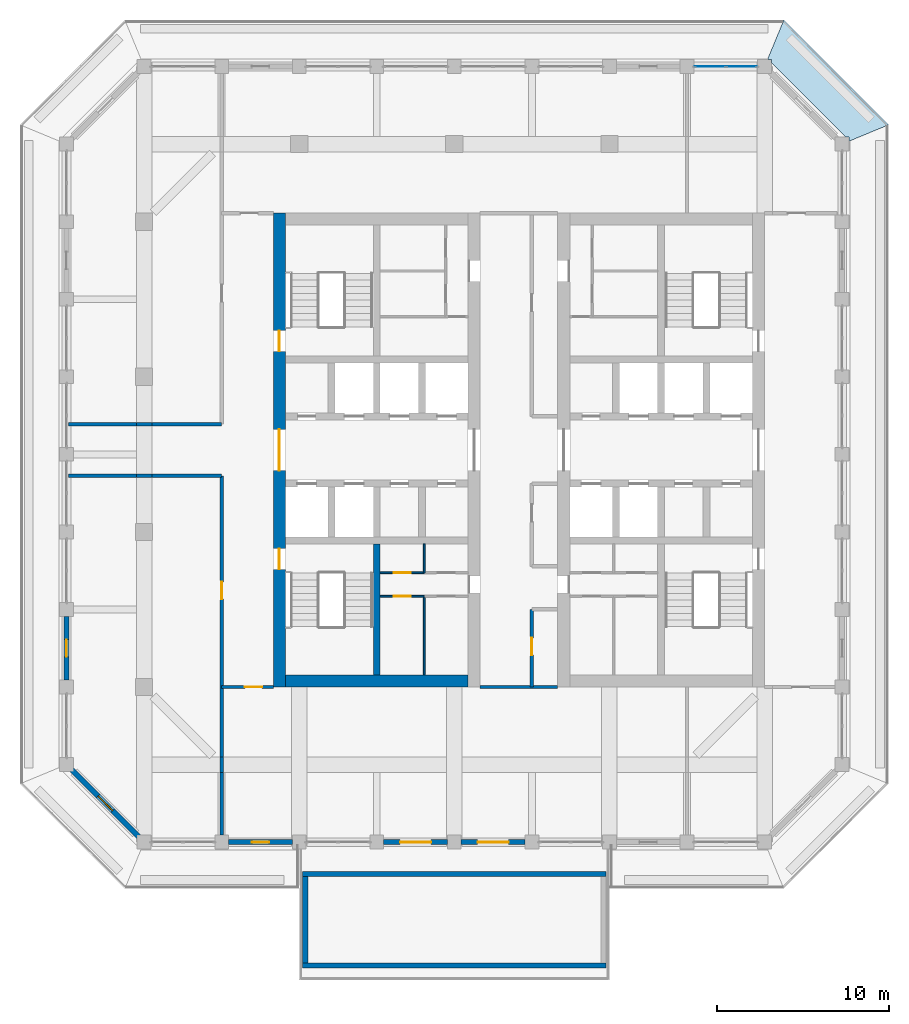
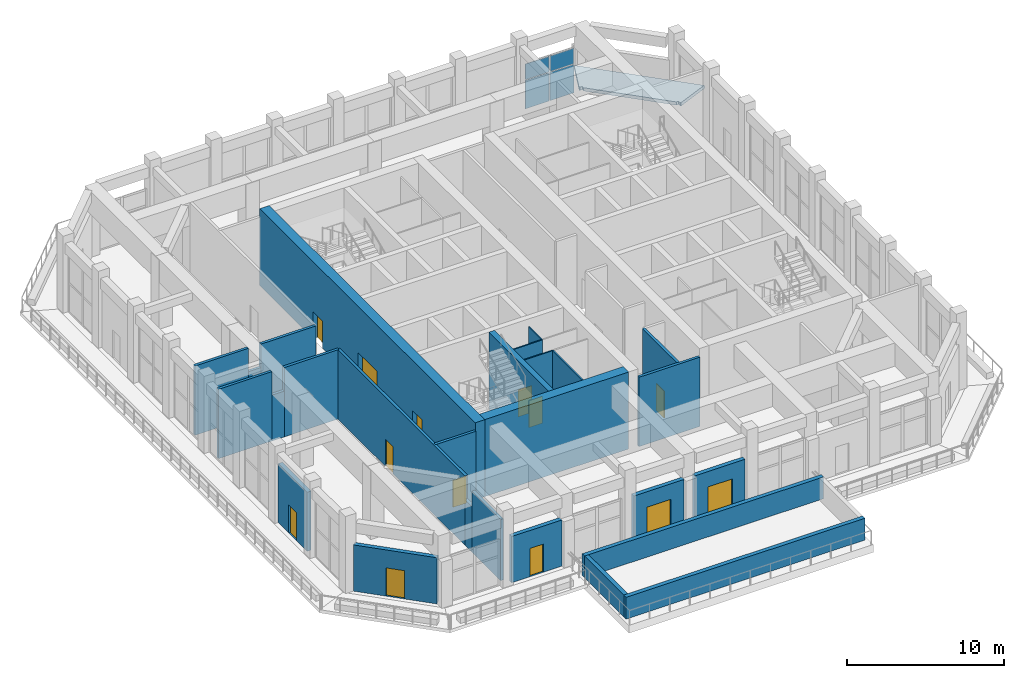
# One storey, part 9 of 20: 27 walls, 13 doors, 4 plates, 1 slab, 13 openings, 1 element without a shape of its own.
"""IFC4 building model written with IfcOpenShell, lengths in metres."""

import ifcopenshell
import ifcopenshell.guid

model = None  # the IFC model being written
_history = None  # IfcOwnerHistory: only IFC2X3 demands one
_inside = {}  # id of a spatial element -> (the spatial element, [elements in it])
_under = {}  # id of a project, library or spatial element -> (it, [spatial elements below it])
_declared = {}  # id of a project -> (the project, [libraries it declares])
_typed = {}  # id of a type object -> (the type object, [elements of that type])
_made_of = {}  # id of a material, layer set ... -> (it, [elements and type objects made of it])


def new_model(schema):
    """Start an empty IFC model of exactly this schema.

    Asked for "IFC4X3", IfcOpenShell would pick the latest addendum, in which some entities
    have other attributes; the version numbers below select the first issue.
    IFC2X3 requires an IfcOwnerHistory on every rooted entity: one is made here for all.
    """
    global model, _history
    if schema == "IFC4X3":
        model = ifcopenshell.file(schema_version=(4, 3, 0, 0))
    else:
        model = ifcopenshell.file(schema=schema)
    _inside.clear()
    _under.clear()
    _declared.clear()
    _typed.clear()
    _made_of.clear()
    _history = None
    if model.schema == "IFC2X3":
        org = make("IfcOrganization", Name="unknown")
        user = make(
            "IfcPersonAndOrganization",
            ThePerson=make("IfcPerson", FamilyName="unknown"),
            TheOrganization=org,
        )
        app = make(
            "IfcApplication",
            ApplicationDeveloper=org,
            Version="unknown",
            ApplicationFullName="unknown",
            ApplicationIdentifier="unknown",
        )
        _history = make(
            "IfcOwnerHistory",
            OwningUser=user,
            OwningApplication=app,
            ChangeAction="ADDED",
            CreationDate=0,
        )
    return model


def make(cls, **values):
    """One entity of the class cls with the attributes given. An attribute that is None is left unset."""
    return model.create_entity(
        cls, **{name: value for name, value in values.items() if value is not None}
    )


def rooted(cls, **values):
    """An entity with a GlobalId (a new one), such as an element, a storey or a relation."""
    return make(cls, GlobalId=ifcopenshell.guid.new(), OwnerHistory=_history, **values)


def si_unit(unit_type, name, prefix=None):
    """IfcSIUnit, for example si_unit("LENGTHUNIT", "METRE", prefix="MILLI")."""
    return make("IfcSIUnit", UnitType=unit_type, Prefix=prefix, Name=name)


def assignment(units):
    """IfcUnitAssignment: the units of a project."""
    return None if units is None else make("IfcUnitAssignment", Units=units)


def point(xyz):
    """IfcCartesianPoint."""
    return None if xyz is None else make("IfcCartesianPoint", Coordinates=xyz)


def direction(xyz):
    """IfcDirection."""
    return None if xyz is None else make("IfcDirection", DirectionRatios=xyz)


def frame(location, z_axis=None, x_axis=None):
    """IfcAxis2Placement3D, a coordinate frame: its origin and axes. An axis left out is left unset."""
    return make(
        "IfcAxis2Placement3D",
        Location=point(location),
        Axis=direction(z_axis),
        RefDirection=direction(x_axis),
    )


def frame_2d(location, x_axis=None):
    """IfcAxis2Placement2D, a coordinate frame in the plane: its origin and x axis."""
    return make(
        "IfcAxis2Placement2D", Location=point(location), RefDirection=direction(x_axis)
    )


def origin():
    """The frame at (0, 0, 0) with its axes left unset."""
    return frame((0.0, 0.0, 0.0))


def origin_2d():
    """The frame at (0, 0) in the plane with its x axis left unset."""
    return frame_2d((0.0, 0.0))


def place(relative_to, where):
    """IfcLocalPlacement: puts the frame where relative to a parent placement (None: the world)."""
    return make(
        "IfcLocalPlacement", PlacementRelTo=relative_to, RelativePlacement=where
    )


def context(
    kind, dimensions, precision=None, world=None, true_north=None, identifier=None
):
    """IfcGeometricRepresentationContext, for example the 3D "Model" context."""
    return make(
        "IfcGeometricRepresentationContext",
        ContextIdentifier=identifier,
        ContextType=kind,
        CoordinateSpaceDimension=dimensions,
        Precision=precision,
        WorldCoordinateSystem=world,
        TrueNorth=true_north,
    )


def subcontext(parent, identifier, kind, view, scale=None):
    """IfcGeometricRepresentationSubContext, for example "Body" below "Model"."""
    return make(
        "IfcGeometricRepresentationSubContext",
        ContextIdentifier=identifier,
        ContextType=kind,
        ParentContext=parent,
        TargetScale=scale,
        TargetView=view,
    )


def project(units=None, contexts=None):
    """IfcProject with its units and contexts."""
    return rooted(
        "IfcProject",
        Name="project",
        RepresentationContexts=contexts,
        UnitsInContext=assignment(units),
    )


def spatial(cls, under=None, at=None, **own):
    """A site, building, storey or space (cls), placed at a placement, below another one or the project."""
    s = rooted(cls, ObjectPlacement=at, **own)
    if under is not None:
        _under.setdefault(under.id(), (under, []))[1].append(s)
    return s


def polyline(points):
    """IfcPolyline through the points."""
    return make("IfcPolyline", Points=[point(p) for p in points])


def profile(cls, at=None, kind="AREA", **sizes):
    """A parametric profile (cls). Its sizes go by their IFC names, for example OverallWidth=200.0."""
    return make(cls, ProfileType=kind, Position=at, **sizes)


def rectangle(**sizes):
    """IfcRectangleProfileDef."""
    return profile("IfcRectangleProfileDef", **sizes)


def outline(outer, holes=None, kind="AREA"):
    """IfcArbitraryClosedProfileDef: a profile drawn as a closed curve; with holes, ...WithVoids."""
    if holes is None:
        return make("IfcArbitraryClosedProfileDef", ProfileType=kind, OuterCurve=outer)
    return make(
        "IfcArbitraryProfileDefWithVoids",
        ProfileType=kind,
        OuterCurve=outer,
        InnerCurves=holes,
    )


def extrude(swept, where, along, depth):
    """IfcExtrudedAreaSolid: the profile swept, set in the frame where, extruded along a direction by depth."""
    return make(
        "IfcExtrudedAreaSolid",
        SweptArea=swept,
        Position=where,
        ExtrudedDirection=direction(along),
        Depth=depth,
    )


def shape(context_of_items, identifier, shape_type, items):
    """IfcShapeRepresentation: the items that make up one representation, for example the "Body"."""
    return make(
        "IfcShapeRepresentation",
        ContextOfItems=context_of_items,
        RepresentationIdentifier=identifier,
        RepresentationType=shape_type,
        Items=items,
    )


def material(Name=None, Category=None):
    """IfcMaterial."""
    return make("IfcMaterial", Name=Name, Category=Category)


def layer(
    of_material, thickness, ventilated=None, Name=None, Category=None, Priority=None
):
    """IfcMaterialLayer: one layer of a wall or slab, of a material (None: an air gap)."""
    return make(
        "IfcMaterialLayer",
        Material=of_material,
        LayerThickness=thickness,
        IsVentilated=ventilated,
        Name=Name,
        Category=Category,
        Priority=Priority,
    )


def layer_set(layers, Name=None):
    """IfcMaterialLayerSet."""
    return make("IfcMaterialLayerSet", MaterialLayers=layers, LayerSetName=Name)


def made_of(thing, what):
    """Note that an element or type object is made of a material, layer set ...; save() writes the relation."""
    if what is not None:
        _made_of.setdefault(what.id(), (what, []))[1].append(thing)
    return thing


def type_object(cls, material=None, **own):
    """A type object (cls), such as IfcWallType, which elements share."""
    return made_of(rooted(cls, **own), material)


def element(
    cls,
    number,
    at=None,
    inside=None,
    cuts=None,
    type_object=None,
    material=None,
    context=None,
    identifier="Body",
    shape_type=None,
    held_by="IfcProductDefinitionShape",
    body=None,
    shapes=None,
    **own,
):
    """One element of the class cls, such as IfcWall. Its Tag is "e" and its number.

    at: its placement. inside: the storey or other place that contains it. cuts: it is an
    opening in that element (IfcRelVoidsElement). A single representation is given by context,
    identifier, shape_type and body (its items); several are given by shapes. held_by: the class
    of the entity that holds the representations. save() writes the other relations.
    """
    e = rooted(cls, Tag="e%d" % number, ObjectPlacement=at, **own)
    if body is not None:
        shapes = [shape(context, identifier, shape_type, body)]
    if shapes is not None:
        e.Representation = make(held_by, Representations=shapes)
    if inside is not None:
        _inside.setdefault(inside.id(), (inside, []))[1].append(e)
    if cuts is not None:
        rooted(
            "IfcRelVoidsElement", RelatingBuildingElement=cuts, RelatedOpeningElement=e
        )
    if type_object is not None:
        _typed.setdefault(type_object.id(), (type_object, []))[1].append(e)
    return made_of(e, material)


def fill(opening, filler):
    """IfcRelFillsElement: the door or window that sits in an opening."""
    return rooted(
        "IfcRelFillsElement",
        RelatingOpeningElement=opening,
        RelatedBuildingElement=filler,
    )


def aggregate(whole, parts):
    """IfcRelAggregates: a whole, such as a stair, and the parts it consists of."""
    return rooted("IfcRelAggregates", RelatingObject=whole, RelatedObjects=parts)


def save(model, path):
    """Write the relations noted so far, then the file.

    IfcRelAggregates (storeys below a building ...), IfcRelContainedInSpatialStructure (elements
    in a storey), IfcRelDefinesByType, IfcRelAssociatesMaterial and IfcRelDeclares: one each for
    every whole, place, type object, material and project.
    """
    for whole, parts in _under.values():
        aggregate(whole, parts)
    for where, things in _inside.values():
        rooted(
            "IfcRelContainedInSpatialStructure",
            RelatedElements=things,
            RelatingStructure=where,
        )
    for kind, things in _typed.values():
        rooted("IfcRelDefinesByType", RelatedObjects=things, RelatingType=kind)
    for what, things in _made_of.values():
        rooted("IfcRelAssociatesMaterial", RelatedObjects=things, RelatingMaterial=what)
    for by, libraries in _declared.values():
        rooted("IfcRelDeclares", RelatingContext=by, RelatedDefinitions=libraries)
    model.write(path)


model = new_model("IFC4")

# Units and contexts
model_context = context("Model", 3, precision=1e-05, world=origin(), true_north=direction((0.0, 1.0)))
body_context = subcontext(model_context, "Body", "Model", "MODEL_VIEW")
ifc_project = project(units=[si_unit("LENGTHUNIT", "METRE"), si_unit("AREAUNIT", "SQUARE_METRE"), si_unit("VOLUMEUNIT", "CUBIC_METRE"), si_unit("PLANEANGLEUNIT", "RADIAN"), si_unit("MASSUNIT", "GRAM", prefix="KILO")], contexts=[model_context])

# Site, building, storey
site_placement = place(None, origin())
site = spatial("IfcSite", under=ifc_project, at=site_placement, CompositionType="ELEMENT")
building_placement = place(site_placement, origin())
building = spatial("IfcBuilding", under=site, at=building_placement, Name="Corbel Stack Research Tower", CompositionType="ELEMENT")
storey_placement = place(building_placement, frame((0.0, 0.0, 295.0)))
storey = spatial("IfcBuildingStorey", under=building, at=storey_placement, Name="L67", CompositionType="ELEMENT", Elevation=295.0)

# Curtain wall, plates
ifc_material_1 = material(Name="Aluminium frame, clear glass", Category="aluminium")
curtain_wall_type = type_object("IfcCurtainWallType", Name="Upper amenity floor curtain wall CW3", PredefinedType="NOTDEFINED", material=ifc_material_1)
curtain_wall_placement = place(storey_placement, origin())
curtain_wall = element("IfcCurtainWall", 1, at=curtain_wall_placement, inside=storey, type_object=curtain_wall_type, Name="Curtain wall CW3 L67 N01", PredefinedType="NOTDEFINED")
ifc_material_2 = material(Name="Low-emissivity glass", Category="glass")
ifc_layer_1 = layer(ifc_material_2, 0.035888671875)
ifc_layer_set_1 = layer_set([ifc_layer_1], Name="Low-emissivity glass")
plate_type = type_object("IfcPlateType", Name="Low-emissivity glazing 36", PredefinedType="CURTAIN_PANEL", material=ifc_layer_set_1)
plate_1_placement = place(storey_placement, frame((16.659912109375, 27.0, 0.06005859375), z_axis=(0.0, 0.0, 1.0), x_axis=(-1.0, 0.0, 0.0)))
plate_1 = element("IfcPlate", 2, at=plate_1_placement, type_object=plate_type, Name="CW3 panel 1.1", PredefinedType="CURTAIN_PANEL", context=body_context, shape_type="SweptSolid", body=[
    extrude(rectangle(XDim=1.760009765625, YDim=0.035888671875, at=origin_2d()), origin(), (0.0, 0.0, 1.0), 2.2099609375),
])
plate_2_placement = place(storey_placement, frame((16.659912109375, 27.0, 2.330078125), z_axis=(0.0, 0.0, 1.0), x_axis=(-1.0, 0.0, 0.0)))
plate_2 = element("IfcPlate", 3, at=plate_2_placement, type_object=plate_type, Name="CW3 panel 1.2", PredefinedType="CURTAIN_PANEL", context=body_context, shape_type="SweptSolid", body=[
    extrude(rectangle(XDim=1.760009765625, YDim=0.035888671875, at=origin_2d()), origin(), (0.0, 0.0, 1.0), 1.2099609375),
])
plate_3_placement = place(storey_placement, frame((14.840087890625, 27.0, 0.06005859375), z_axis=(0.0, 0.0, 1.0), x_axis=(-1.0, 0.0, 0.0)))
plate_3 = element("IfcPlate", 4, at=plate_3_placement, type_object=plate_type, Name="CW3 panel 2.1", PredefinedType="CURTAIN_PANEL", context=body_context, shape_type="SweptSolid", body=[
    extrude(rectangle(XDim=1.760009765625, YDim=0.035888671875, at=origin_2d()), origin(), (0.0, 0.0, 1.0), 2.2099609375),
])
plate_4_placement = place(storey_placement, frame((14.840087890625, 27.0, 2.330078125), z_axis=(0.0, 0.0, 1.0), x_axis=(-1.0, 0.0, 0.0)))
plate_4 = element("IfcPlate", 5, at=plate_4_placement, type_object=plate_type, Name="CW3 panel 2.2", PredefinedType="CURTAIN_PANEL", context=body_context, shape_type="SweptSolid", body=[
    extrude(rectangle(XDim=1.760009765625, YDim=0.035888671875, at=origin_2d()), origin(), (0.0, 0.0, 1.0), 1.2099609375),
])
aggregate(curtain_wall, [plate_1, plate_2, plate_3, plate_4])

# Slab
ifc_material_3 = material(Name="Concrete C45/55", Category="concrete")
ifc_layer_2 = layer(ifc_material_3, 0.25)
ifc_layer_set_2 = layer_set([ifc_layer_2], Name="Concrete C45/55")
slab_type = type_object("IfcSlabType", Name="PT balcony slab 250 C45/55", PredefinedType="FLOOR", material=ifc_layer_set_2)
slab_placement = place(storey_placement, frame((0.0, 0.0, -0.25)))
element("IfcSlab", 6, at=slab_placement, inside=storey, type_object=slab_type, Name="Loggia slab L67 NE", PredefinedType="FLOOR", context=body_context, shape_type="SweptSolid", body=[
    extrude(outline(polyline([(18.186279296875, 27.449951171875), (18.236328125, 27.39990234375), (18.39990234375, 27.39990234375), (18.39990234375, 27.236328125), (22.736328125, 22.89990234375), (22.89990234375, 22.89990234375), (22.89990234375, 22.736328125), (22.949951171875, 22.686279296875), (25.199951171875, 23.618408203125), (19.118408203125, 29.699951171875), (18.186279296875, 27.449951171875)])), origin(), (0.0, 0.0, 1.0), 0.25),
])

# Wall
ifc_material_4 = material(Name="Concrete C60/75", Category="concrete")
ifc_layer_3 = layer(ifc_material_4, 0.39990234375)
ifc_layer_set_3 = layer_set([ifc_layer_3], Name="Concrete C60/75")
wall_type_1 = type_object("IfcWallType", Name="CW-400-60", PredefinedType="SHEAR", material=ifc_layer_set_3)
wall_1_placement = place(storey_placement, frame((-4.5, -8.300048828125, 0.0), z_axis=(0.0, 0.0, 1.0), x_axis=(0.0, 1.0, 0.0)))
element("IfcWall", 7, at=wall_1_placement, inside=storey, type_object=wall_type_1, Name="West core wall, south stair and WC L67", PredefinedType="SHEAR", context=body_context, shape_type="SweptSolid", body=[
    extrude(rectangle(XDim=7.60009765625, YDim=0.39990234375, at=frame_2d((3.800048828125, 0.0))), origin(), (0.0, 0.0, 1.0), 6.0),
])

# Wall, openings, doors
ifc_material_5 = material(Name="Concrete C60/75", Category="concrete")
ifc_layer_4 = layer(ifc_material_5, 0.699951171875)
ifc_layer_set_4 = layer_set([ifc_layer_4], Name="Concrete C60/75")
wall_type_2 = type_object("IfcWallType", Name="CW-700-60", PredefinedType="SHEAR", material=ifc_layer_set_4)
wall_2_placement = place(storey_placement, frame((-10.14990234375, -9.0, 0.0), z_axis=(0.0, 0.0, 1.0), x_axis=(0.0, 1.0, 0.0)))
wall_2 = element("IfcWall", 8, at=wall_2_placement, inside=storey, type_object=wall_type_2, Name="West core wall, west face L67", PredefinedType="SHEAR", context=body_context, shape_type="SweptSolid", body=[
    extrude(rectangle(XDim=27.5, YDim=0.699951171875, at=frame_2d((13.75, 0.0))), origin(), (0.0, 0.0, 1.0), 6.0),
])
opening_1_placement = place(wall_2_placement, frame((12.550048828125, 0.0, 0.0)))
opening_1 = element("IfcOpeningElement", 9, at=opening_1_placement, cuts=wall_2, Name="Opening CD-W-W", PredefinedType="OPENING", context=body_context, shape_type="SweptSolid", body=[
    extrude(rectangle(XDim=2.39990234375, YDim=2.39990234375, at=frame_2d((1.199951171875, 1.199951171875))), frame((0.0, 0.35986328125, 0.0), z_axis=(0.0, -1.0, 0.0), x_axis=(1.0, 0.0, 0.0)), (0.0, 0.0, 1.0), 0.719970703125),
])
opening_2_placement = place(wall_2_placement, frame((6.824951171875, 0.0, 0.0)))
opening_2 = element("IfcOpeningElement", 10, at=opening_2_placement, cuts=wall_2, Name="Opening SD-ST-W1", PredefinedType="OPENING", context=body_context, shape_type="SweptSolid", body=[
    extrude(rectangle(XDim=1.199951171875, YDim=2.10009765625, at=frame_2d((0.60009765625, 1.050048828125))), frame((0.0, 0.35986328125, 0.0), z_axis=(0.0, -1.0, 0.0), x_axis=(1.0, 0.0, 0.0)), (0.0, 0.0, 1.0), 0.719970703125),
])
opening_3_placement = place(wall_2_placement, frame((19.47509765625, 0.0, 0.0)))
opening_3 = element("IfcOpeningElement", 11, at=opening_3_placement, cuts=wall_2, Name="Opening SD-ST-W2", PredefinedType="OPENING", context=body_context, shape_type="SweptSolid", body=[
    extrude(rectangle(XDim=1.199951171875, YDim=2.10009765625, at=frame_2d((0.60009765625, 1.050048828125))), frame((0.0, 0.35986328125, 0.0), z_axis=(0.0, -1.0, 0.0), x_axis=(1.0, 0.0, 0.0)), (0.0, 0.0, 1.0), 0.719970703125),
])
ifc_material_6 = material(Name="Painted steel fire door", Category="steel")
door_type_1 = type_object("IfcDoorType", Name="Lobby door pair 2400 x 2400 FD30S", OperationType="DOUBLE_DOOR_DOUBLE_SWING", PredefinedType="DOOR", material=ifc_material_6)
door_1_placement = place(opening_1_placement, origin())
door_1 = element("IfcDoor", 12, at=door_1_placement, inside=storey, type_object=door_type_1, Name="Lift lobby door W core W", OperationType="DOUBLE_DOOR_DOUBLE_SWING", OverallHeight=2.39990234375, OverallWidth=2.39990234375, PredefinedType="DOOR", context=body_context, shape_type="SweptSolid", body=[
    extrude(rectangle(XDim=2.39990234375, YDim=2.39990234375, at=frame_2d((1.199951171875, 1.199951171875))), frame((0.0, 0.02490234375, 0.0), z_axis=(0.0, -1.0, 0.0), x_axis=(1.0, 0.0, 0.0)), (0.0, 0.0, 1.0), 0.050048828125),
])
fill(opening_1, door_1)
ifc_material_7 = material(Name="Painted steel fire door", Category="steel")
door_type_2 = type_object("IfcDoorType", Name="Stair door 1200 x 2100 FD90 left hand", OperationType="SINGLE_SWING_LEFT", PredefinedType="DOOR", material=ifc_material_7)
door_2_placement = place(opening_2_placement, origin())
door_2 = element("IfcDoor", 13, at=door_2_placement, inside=storey, type_object=door_type_2, Name="Stair door ST-W1", OperationType="SINGLE_SWING_LEFT", OverallHeight=2.10009765625, OverallWidth=1.199951171875, PredefinedType="DOOR", context=body_context, shape_type="SweptSolid", body=[
    extrude(rectangle(XDim=1.199951171875, YDim=2.10009765625, at=frame_2d((0.60009765625, 1.050048828125))), frame((0.0, 0.02490234375, 0.0), z_axis=(0.0, -1.0, 0.0), x_axis=(1.0, 0.0, 0.0)), (0.0, 0.0, 1.0), 0.050048828125),
])
fill(opening_2, door_2)
door_3_placement = place(opening_3_placement, origin())
door_3 = element("IfcDoor", 14, at=door_3_placement, inside=storey, type_object=door_type_2, Name="Stair door ST-W2", OperationType="SINGLE_SWING_LEFT", OverallHeight=2.10009765625, OverallWidth=1.199951171875, PredefinedType="DOOR", context=body_context, shape_type="SweptSolid", body=[
    extrude(rectangle(XDim=1.199951171875, YDim=2.10009765625, at=frame_2d((0.60009765625, 1.050048828125))), frame((0.0, 0.02490234375, 0.0), z_axis=(0.0, -1.0, 0.0), x_axis=(1.0, 0.0, 0.0)), (0.0, 0.0, 1.0), 0.050048828125),
])
fill(opening_3, door_3)

# Wall
wall_3_placement = place(storey_placement, frame((-9.800048828125, -8.64990234375, 0.0), z_axis=(0.0, 0.0, 1.0), x_axis=(1.0, 0.0, 0.0)))
element("IfcWall", 15, at=wall_3_placement, inside=storey, type_object=wall_type_2, Name="West core wall, south end L67", PredefinedType="SHEAR", context=body_context, shape_type="SweptSolid", body=[
    extrude(rectangle(XDim=10.60009765625, YDim=0.699951171875, at=frame_2d((5.300048828125, 0.0))), origin(), (0.0, 0.0, 1.0), 6.0),
])

# Wall, opening, door
ifc_material_8 = material(Name="Gypsum board")
ifc_layer_5 = layer(ifc_material_8, 0.10009765625)
ifc_layer_set_5 = layer_set([ifc_layer_5], Name="Gypsum board")
wall_type_3 = type_object("IfcWallType", Name="Core partition 100", PredefinedType="PARTITIONING", material=ifc_layer_set_5)
wall_4_placement = place(storey_placement, frame((-4.300048828125, -3.739990234375, 0.0), z_axis=(0.0, 0.0, 1.0), x_axis=(1.0, 0.0, 0.0)))
wall_4 = element("IfcWall", 16, at=wall_4_placement, inside=storey, type_object=wall_type_3, Name="Core partition W", PredefinedType="PARTITIONING", context=body_context, shape_type="SweptSolid", body=[
    extrude(rectangle(XDim=2.550048828125, YDim=0.10009765625, at=frame_2d((1.27490234375, 0.0))), origin(), (0.0, 0.0, 1.0), 5.39990234375),
])
opening_4_placement = place(wall_4_placement, frame((0.77490234375, 0.0, 0.0)))
opening_4 = element("IfcOpeningElement", 17, at=opening_4_placement, cuts=wall_4, Name="Opening CR-W54-W3-1000", PredefinedType="OPENING", context=body_context, shape_type="SweptSolid", body=[
    extrude(rectangle(XDim=1.0, YDim=2.10009765625, at=frame_2d((0.5, 1.050048828125))), frame((0.0, 0.06005859375, 0.0), z_axis=(0.0, -1.0, 0.0), x_axis=(1.0, 0.0, 0.0)), (0.0, 0.0, 1.0), 0.1201171875),
])
ifc_material_9 = material(Name="Painted timber door", Category="wood")
door_type_3 = type_object("IfcDoorType", Name="WC door 1000 x 2100 left hand", OperationType="SINGLE_SWING_LEFT", PredefinedType="DOOR", material=ifc_material_9)
door_4_placement = place(opening_4_placement, origin())
door_4 = element("IfcDoor", 18, at=door_4_placement, inside=storey, type_object=door_type_3, Name="Men's WC door W core", OperationType="SINGLE_SWING_LEFT", OverallHeight=2.10009765625, OverallWidth=1.0, PredefinedType="DOOR", context=body_context, shape_type="SweptSolid", body=[
    extrude(rectangle(XDim=1.0, YDim=2.10009765625, at=frame_2d((0.5, 1.050048828125))), frame((0.0, 0.02490234375, 0.0), z_axis=(0.0, -1.0, 0.0), x_axis=(1.0, 0.0, 0.0)), (0.0, 0.0, 1.0), 0.050048828125),
])
fill(opening_4, door_4)

wall_5_placement = place(storey_placement, frame((-4.300048828125, -2.3720703125, 0.0), z_axis=(0.0, 0.0, 1.0), x_axis=(1.0, 0.0, 0.0)))
wall_5 = element("IfcWall", 19, at=wall_5_placement, inside=storey, type_object=wall_type_3, Name="Core partition W", PredefinedType="PARTITIONING", context=body_context, shape_type="SweptSolid", body=[
    extrude(rectangle(XDim=2.550048828125, YDim=0.10009765625, at=frame_2d((1.27490234375, 0.0))), origin(), (0.0, 0.0, 1.0), 5.39990234375),
])
opening_5_placement = place(wall_5_placement, frame((0.77490234375, 0.0, 0.0)))
opening_5 = element("IfcOpeningElement", 20, at=opening_5_placement, cuts=wall_5, Name="Opening CR-W54-W5-1000", PredefinedType="OPENING", context=body_context, shape_type="SweptSolid", body=[
    extrude(rectangle(XDim=1.0, YDim=2.10009765625, at=frame_2d((0.5, 1.050048828125))), frame((0.0, 0.06005859375, 0.0), z_axis=(0.0, -1.0, 0.0), x_axis=(1.0, 0.0, 0.0)), (0.0, 0.0, 1.0), 0.1201171875),
])
door_5_placement = place(opening_5_placement, origin())
door_5 = element("IfcDoor", 21, at=door_5_placement, inside=storey, type_object=door_type_3, Name="Shower and changing room door W core", OperationType="SINGLE_SWING_LEFT", OverallHeight=2.10009765625, OverallWidth=1.0, PredefinedType="DOOR", context=body_context, shape_type="SweptSolid", body=[
    extrude(rectangle(XDim=1.0, YDim=2.10009765625, at=frame_2d((0.5, 1.050048828125))), frame((0.0, 0.02490234375, 0.0), z_axis=(0.0, -1.0, 0.0), x_axis=(1.0, 0.0, 0.0)), (0.0, 0.0, 1.0), 0.050048828125),
])
fill(opening_5, door_5)

# Walls
wall_6_placement = place(storey_placement, frame((-1.75, -8.300048828125, 0.0), z_axis=(0.0, 0.0, 1.0), x_axis=(0.0, 1.0, 0.0)))
element("IfcWall", 22, at=wall_6_placement, inside=storey, type_object=wall_type_3, Name="Core partition W", PredefinedType="PARTITIONING", context=body_context, shape_type="SweptSolid", body=[
    extrude(rectangle(XDim=4.56005859375, YDim=0.10009765625, at=frame_2d((2.280029296875, 0.0))), origin(), (0.0, 0.0, 1.0), 5.39990234375),
])
wall_7_placement = place(storey_placement, frame((-1.75, -2.3720703125, 0.0), z_axis=(0.0, 0.0, 1.0), x_axis=(0.0, 1.0, 0.0)))
element("IfcWall", 23, at=wall_7_placement, inside=storey, type_object=wall_type_3, Name="Core partition W", PredefinedType="PARTITIONING", context=body_context, shape_type="SweptSolid", body=[
    extrude(rectangle(XDim=1.672119140625, YDim=0.10009765625, at=frame_2d((0.8359375, 0.0))), origin(), (0.0, 0.0, 1.0), 5.39990234375),
])
ifc_material_10 = material(Name="Fire-rated gypsum board partition on steel studs", Category="steel")
ifc_layer_6 = layer(ifc_material_10, 0.199951171875)
ifc_layer_set_6 = layer_set([ifc_layer_6], Name="Fire-rated gypsum board partition on steel studs")
wall_type_4 = type_object("IfcWallType", Name="Fire-rated partition 200 EI 60", PredefinedType="PARTITIONING", material=ifc_layer_set_6)
wall_8_placement = place(storey_placement, frame((-13.5, -17.60009765625, 0.0), z_axis=(0.0, 0.0, 1.0), x_axis=(0.0, 1.0, 0.0)))
element("IfcWall", 24, at=wall_8_placement, inside=storey, type_object=wall_type_4, Name="Partition L67-001", PredefinedType="PARTITIONING", context=body_context, shape_type="SweptSolid", body=[
    extrude(rectangle(XDim=3.650146484375, YDim=0.199951171875, at=frame_2d((1.8251953125, 0.0))), origin(), (0.0, 0.0, 1.0), 4.77001953125),
])
wall_9_placement = place(storey_placement, frame((-13.5, -13.949951171875, 0.0), z_axis=(0.0, 0.0, 1.0), x_axis=(0.0, 1.0, 0.0)))
element("IfcWall", 25, at=wall_9_placement, inside=storey, type_object=wall_type_4, Name="Partition L67-002", PredefinedType="PARTITIONING", context=body_context, shape_type="SweptSolid", body=[
    extrude(rectangle(XDim=0.89990234375, YDim=0.199951171875, at=frame_2d((0.449951171875, 0.0))), origin(), (0.0, 0.0, 1.0), 3.570068359375),
])

# Wall, opening, door
wall_10_placement = place(storey_placement, frame((-13.5, -13.050048828125, 0.0), z_axis=(0.0, 0.0, 1.0), x_axis=(0.0, 1.0, 0.0)))
wall_10 = element("IfcWall", 26, at=wall_10_placement, inside=storey, type_object=wall_type_4, Name="Partition L67-003", PredefinedType="PARTITIONING", context=body_context, shape_type="SweptSolid", body=[
    extrude(rectangle(XDim=16.300048828125, YDim=0.199951171875, at=frame_2d((8.14990234375, 0.0))), origin(), (0.0, 0.0, 1.0), 5.39990234375),
])
opening_6_placement = place(wall_10_placement, frame((9.14990234375, 0.0, 0.0)))
opening_6 = element("IfcOpeningElement", 27, at=opening_6_placement, cuts=wall_10, Name="Opening B8AM-001", PredefinedType="OPENING", context=body_context, shape_type="SweptSolid", body=[
    extrude(rectangle(XDim=1.0, YDim=2.10009765625, at=frame_2d((0.5, 1.050048828125))), frame((0.0, 0.10986328125, 0.0), z_axis=(0.0, -1.0, 0.0), x_axis=(1.0, 0.0, 0.0)), (0.0, 0.0, 1.0), 0.219970703125),
])
ifc_material_11 = material(Name="Painted steel fire door", Category="steel")
door_type_4 = type_object("IfcDoorType", Name="Fire door FD30S 1000 x 2100", OperationType="NOTDEFINED", PredefinedType="DOOR", material=ifc_material_11)
door_6_placement = place(opening_6_placement, origin())
door_6 = element("IfcDoor", 28, at=door_6_placement, inside=storey, type_object=door_type_4, Name="Door B8AM-001", OperationType="SINGLE_SWING_RIGHT", OverallHeight=2.10009765625, OverallWidth=1.0, PredefinedType="DOOR", context=body_context, shape_type="SweptSolid", body=[
    extrude(rectangle(XDim=1.0, YDim=2.10009765625, at=frame_2d((0.5, 1.050048828125))), frame((0.0, 0.02490234375, 0.0), z_axis=(0.0, -1.0, 0.0), x_axis=(1.0, 0.0, 0.0)), (0.0, 0.0, 1.0), 0.050048828125),
])
fill(opening_6, door_6)

wall_11_placement = place(storey_placement, frame((4.5, -4.5, 0.0), z_axis=(0.0, 0.0, 1.0), x_axis=(0.0, -1.0, 0.0)))
wall_11 = element("IfcWall", 29, at=wall_11_placement, inside=storey, type_object=wall_type_4, Name="Partition L67-007", PredefinedType="PARTITIONING", context=body_context, shape_type="SweptSolid", body=[
    extrude(rectangle(XDim=4.5, YDim=0.199951171875, at=frame_2d((2.25, 0.0))), origin(), (0.0, 0.0, 1.0), 5.39990234375),
])
opening_7_placement = place(wall_11_placement, frame((1.64990234375, 0.0, 0.0)))
opening_7 = element("IfcOpeningElement", 30, at=opening_7_placement, cuts=wall_11, Name="Opening B8AM-005", PredefinedType="OPENING", context=body_context, shape_type="SweptSolid", body=[
    extrude(rectangle(XDim=1.0, YDim=2.10009765625, at=frame_2d((0.5, 1.050048828125))), frame((0.0, 0.10986328125, 0.0), z_axis=(0.0, -1.0, 0.0), x_axis=(1.0, 0.0, 0.0)), (0.0, 0.0, 1.0), 0.219970703125),
])
door_7_placement = place(opening_7_placement, origin())
door_7 = element("IfcDoor", 31, at=door_7_placement, inside=storey, type_object=door_type_4, Name="Door B8AM-005", OperationType="SINGLE_SWING_LEFT", OverallHeight=2.10009765625, OverallWidth=1.0, PredefinedType="DOOR", context=body_context, shape_type="SweptSolid", body=[
    extrude(rectangle(XDim=1.0, YDim=2.10009765625, at=frame_2d((0.5, 1.050048828125))), frame((0.0, 0.02490234375, 0.0), z_axis=(0.0, -1.0, 0.0), x_axis=(1.0, 0.0, 0.0)), (0.0, 0.0, 1.0), 0.050048828125),
])
fill(opening_7, door_7)

wall_12_placement = place(storey_placement, frame((-10.5, -9.0, 0.0), z_axis=(0.0, 0.0, 1.0), x_axis=(-1.0, 0.0, 0.0)))
wall_12 = element("IfcWall", 32, at=wall_12_placement, inside=storey, type_object=wall_type_4, Name="Partition L67-016", PredefinedType="PARTITIONING", context=body_context, shape_type="SweptSolid", body=[
    extrude(rectangle(XDim=3.0, YDim=0.199951171875, at=frame_2d((1.5, 0.0))), origin(), (0.0, 0.0, 1.0), 5.39990234375),
])
opening_8_placement = place(wall_12_placement, frame((0.64990234375, 0.0, 0.0)))
opening_8 = element("IfcOpeningElement", 33, at=opening_8_placement, cuts=wall_12, Name="Opening B8AM-003", PredefinedType="OPENING", context=body_context, shape_type="SweptSolid", body=[
    extrude(rectangle(XDim=1.0, YDim=2.10009765625, at=frame_2d((0.5, 1.050048828125))), frame((0.0, 0.10986328125, 0.0), z_axis=(0.0, -1.0, 0.0), x_axis=(1.0, 0.0, 0.0)), (0.0, 0.0, 1.0), 0.219970703125),
])
door_8_placement = place(opening_8_placement, origin())
door_8 = element("IfcDoor", 34, at=door_8_placement, inside=storey, type_object=door_type_4, Name="Door B8AM-003", OperationType="SINGLE_SWING_LEFT", OverallHeight=2.10009765625, OverallWidth=1.0, PredefinedType="DOOR", context=body_context, shape_type="SweptSolid", body=[
    extrude(rectangle(XDim=1.0, YDim=2.10009765625, at=frame_2d((0.5, 1.050048828125))), frame((0.0, 0.02490234375, 0.0), z_axis=(0.0, -1.0, 0.0), x_axis=(1.0, 0.0, 0.0)), (0.0, 0.0, 1.0), 0.050048828125),
])
fill(opening_8, door_8)

# Walls
wall_13_placement = place(storey_placement, frame((1.5, -9.0, 0.0), z_axis=(0.0, 0.0, 1.0), x_axis=(1.0, 0.0, 0.0)))
element("IfcWall", 35, at=wall_13_placement, inside=storey, type_object=wall_type_4, Name="Partition L67-017", PredefinedType="PARTITIONING", context=body_context, shape_type="SweptSolid", body=[
    extrude(rectangle(XDim=4.5, YDim=0.199951171875, at=frame_2d((2.25, 0.0))), origin(), (0.0, 0.0, 1.0), 5.39990234375),
])
wall_14_placement = place(storey_placement, frame((-22.39990234375, 3.25, 0.0), z_axis=(0.0, 0.0, 1.0), x_axis=(1.0, 0.0, 0.0)))
element("IfcWall", 36, at=wall_14_placement, inside=storey, type_object=wall_type_4, Name="Partition L67-023", PredefinedType="PARTITIONING", context=body_context, shape_type="SweptSolid", body=[
    extrude(rectangle(XDim=3.949951171875, YDim=0.199951171875, at=frame_2d((1.97509765625, 0.0))), origin(), (0.0, 0.0, 1.0), 5.39990234375),
])
wall_15_placement = place(storey_placement, frame((-18.449951171875, 3.25, 0.0), z_axis=(0.0, 0.0, 1.0), x_axis=(1.0, 0.0, 0.0)))
element("IfcWall", 37, at=wall_15_placement, inside=storey, type_object=wall_type_4, Name="Partition L67-024", PredefinedType="PARTITIONING", context=body_context, shape_type="SweptSolid", body=[
    extrude(rectangle(XDim=0.89990234375, YDim=0.199951171875, at=frame_2d((0.449951171875, 0.0))), origin(), (0.0, 0.0, 1.0), 3.570068359375),
])
wall_16_placement = place(storey_placement, frame((-17.550048828125, 3.25, 0.0), z_axis=(0.0, 0.0, 1.0), x_axis=(1.0, 0.0, 0.0)))
element("IfcWall", 38, at=wall_16_placement, inside=storey, type_object=wall_type_4, Name="Partition L67-025", PredefinedType="PARTITIONING", context=body_context, shape_type="SweptSolid", body=[
    extrude(rectangle(XDim=4.050048828125, YDim=0.199951171875, at=frame_2d((2.02490234375, 0.0))), origin(), (0.0, 0.0, 1.0), 5.39990234375),
])
wall_17_placement = place(storey_placement, frame((-22.39990234375, 6.25, 0.0), z_axis=(0.0, 0.0, 1.0), x_axis=(1.0, 0.0, 0.0)))
element("IfcWall", 39, at=wall_17_placement, inside=storey, type_object=wall_type_4, Name="Partition L67-026", PredefinedType="PARTITIONING", context=body_context, shape_type="SweptSolid", body=[
    extrude(rectangle(XDim=3.949951171875, YDim=0.199951171875, at=frame_2d((1.97509765625, 0.0))), origin(), (0.0, 0.0, 1.0), 5.39990234375),
])
wall_18_placement = place(storey_placement, frame((-18.449951171875, 6.25, 0.0), z_axis=(0.0, 0.0, 1.0), x_axis=(1.0, 0.0, 0.0)))
element("IfcWall", 40, at=wall_18_placement, inside=storey, type_object=wall_type_4, Name="Partition L67-027", PredefinedType="PARTITIONING", context=body_context, shape_type="SweptSolid", body=[
    extrude(rectangle(XDim=0.89990234375, YDim=0.199951171875, at=frame_2d((0.449951171875, 0.0))), origin(), (0.0, 0.0, 1.0), 3.570068359375),
])
wall_19_placement = place(storey_placement, frame((-17.550048828125, 6.25, 0.0), z_axis=(0.0, 0.0, 1.0), x_axis=(1.0, 0.0, 0.0)))
element("IfcWall", 41, at=wall_19_placement, inside=storey, type_object=wall_type_4, Name="Partition L67-028", PredefinedType="PARTITIONING", context=body_context, shape_type="SweptSolid", body=[
    extrude(rectangle(XDim=4.050048828125, YDim=0.199951171875, at=frame_2d((2.02490234375, 0.0))), origin(), (0.0, 0.0, 1.0), 5.39990234375),
])
ifc_material_12 = material(Name="Concrete C45/55", Category="concrete")
ifc_layer_7 = layer(ifc_material_12, 0.300048828125)
ifc_layer_set_7 = layer_set([ifc_layer_7], Name="Concrete C45/55")
wall_type_5 = type_object("IfcWallType", Name="Pool basin wall 300 C45/55", PredefinedType="SOLIDWALL", material=ifc_layer_set_7)
for number, where, z_axis, x_axis, name in (
    (42, (-8.800048828125, -25.14990234375, 0.0), (0.0, 0.0, 1.0), (1.0, 0.0, 0.0), "Pool basin wall S"),
    (43, (-8.800048828125, -19.85009765625, 0.0), (0.0, 0.0, 1.0), (1.0, 0.0, 0.0), "Pool basin wall N"),
):
    element("IfcWall", number, at=place(storey_placement, frame(where, z_axis=z_axis, x_axis=x_axis)), inside=storey, type_object=wall_type_5, Name=name, PredefinedType="SOLIDWALL", context=body_context, shape_type="SweptSolid", body=[
        extrude(rectangle(XDim=17.60009765625, YDim=0.300048828125, at=frame_2d((8.800048828125, 0.0))), origin(), (0.0, 0.0, 1.0), 1.699951171875),
    ])
wall_20_placement = place(storey_placement, frame((-8.64990234375, -25.0, 0.0), z_axis=(0.0, 0.0, 1.0), x_axis=(0.0, 1.0, 0.0)))
element("IfcWall", 44, at=wall_20_placement, inside=storey, type_object=wall_type_5, Name="Pool basin wall W", PredefinedType="SOLIDWALL", context=body_context, shape_type="SweptSolid", body=[
    extrude(rectangle(XDim=5.0, YDim=0.300048828125, at=frame_2d((2.5, 0.0))), origin(), (0.0, 0.0, 1.0), 1.699951171875),
])

# Wall, opening, door
ifc_material_13 = material(Name="Concrete C45/55", Category="concrete")
ifc_layer_8 = layer(ifc_material_13, 0.300048828125)
ifc_layer_set_8 = layer_set([ifc_layer_8], Name="Concrete C45/55")
wall_type_6 = type_object("IfcWallType", Name="Terracotta-faced concrete wall 300", PredefinedType="SOLIDWALL", material=ifc_layer_set_8)
wall_21_placement = place(storey_placement, frame((-9.39990234375, -18.0, 0.0), z_axis=(0.0, 0.0, 1.0), x_axis=(-1.0, 0.0, 0.0)))
wall_21 = element("IfcWall", 45, at=wall_21_placement, inside=storey, type_object=wall_type_6, Name="Facade wall L67 S02", PredefinedType="SOLIDWALL", context=body_context, shape_type="SweptSolid", body=[
    extrude(rectangle(XDim=3.7001953125, YDim=0.300048828125, at=frame_2d((1.85009765625, 0.0))), origin(), (0.0, 0.0, 1.0), 3.60009765625),
])
opening_9_placement = place(wall_21_placement, frame((1.35009765625, 0.0, 0.0)))
opening_9 = element("IfcOpeningElement", 46, at=opening_9_placement, cuts=wall_21, Name="Opening L67-B01", PredefinedType="OPENING", context=body_context, shape_type="SweptSolid", body=[
    extrude(rectangle(XDim=1.0, YDim=2.199951171875, at=frame_2d((0.5, 1.10009765625))), frame((0.0, 0.159912109375, 0.0), z_axis=(0.0, -1.0, 0.0), x_axis=(1.0, 0.0, 0.0)), (0.0, 0.0, 1.0), 0.320068359375),
])
ifc_material_14 = material(Name="Aluminium frame, clear double glazing", Category="aluminium")
door_type_5 = type_object("IfcDoorType", Name="Balcony door BD1 1000 x 2200", OperationType="NOTDEFINED", PredefinedType="DOOR", material=ifc_material_14)
door_9_placement = place(opening_9_placement, origin())
door_9 = element("IfcDoor", 47, at=door_9_placement, inside=storey, type_object=door_type_5, Name="Balcony door L67-B01", OperationType="SINGLE_SWING_LEFT", OverallHeight=2.199951171875, OverallWidth=1.0, PredefinedType="DOOR", context=body_context, shape_type="SweptSolid", body=[
    extrude(rectangle(XDim=1.0, YDim=2.199951171875, at=frame_2d((0.5, 1.10009765625))), frame((0.0, 0.02490234375, 0.0), z_axis=(0.0, -1.0, 0.0), x_axis=(1.0, 0.0, 0.0)), (0.0, 0.0, 1.0), 0.050048828125),
])
fill(opening_9, door_9)

wall_22_placement = place(storey_placement, frame((-0.39990234375, -18.0, 0.0), z_axis=(0.0, 0.0, 1.0), x_axis=(-1.0, 0.0, 0.0)))
wall_22 = element("IfcWall", 48, at=wall_22_placement, inside=storey, type_object=wall_type_6, Name="Facade wall L67 S04", PredefinedType="SOLIDWALL", context=body_context, shape_type="SweptSolid", body=[
    extrude(rectangle(XDim=3.7001953125, YDim=0.300048828125, at=frame_2d((1.85009765625, 0.0))), origin(), (0.0, 0.0, 1.0), 3.60009765625),
])
opening_10_placement = place(wall_22_placement, frame((0.949951171875, 0.0, 0.0)))
opening_10 = element("IfcOpeningElement", 49, at=opening_10_placement, cuts=wall_22, Name="Opening L67-P02", PredefinedType="OPENING", context=body_context, shape_type="SweptSolid", body=[
    extrude(rectangle(XDim=1.800048828125, YDim=2.39990234375, at=frame_2d((0.89990234375, 1.199951171875))), frame((0.0, 0.159912109375, 0.0), z_axis=(0.0, -1.0, 0.0), x_axis=(1.0, 0.0, 0.0)), (0.0, 0.0, 1.0), 0.320068359375),
])
ifc_material_15 = material(Name="Aluminium frame, clear double glazing", Category="aluminium")
door_type_6 = type_object("IfcDoorType", Name="Pool door PD1 1800 x 2400", OperationType="DOUBLE_DOOR_SINGLE_SWING", PredefinedType="DOOR", material=ifc_material_15)
door_10_placement = place(opening_10_placement, origin())
door_10 = element("IfcDoor", 50, at=door_10_placement, inside=storey, type_object=door_type_6, Name="Pool door L67-P02", OperationType="SINGLE_SWING_LEFT", OverallHeight=2.39990234375, OverallWidth=1.800048828125, PredefinedType="DOOR", context=body_context, shape_type="SweptSolid", body=[
    extrude(rectangle(XDim=1.800048828125, YDim=2.39990234375, at=frame_2d((0.89990234375, 1.199951171875))), frame((0.0, 0.02490234375, 0.0), z_axis=(0.0, -1.0, 0.0), x_axis=(1.0, 0.0, 0.0)), (0.0, 0.0, 1.0), 0.050048828125),
])
fill(opening_10, door_10)

wall_23_placement = place(storey_placement, frame((4.10009765625, -18.0, 0.0), z_axis=(0.0, 0.0, 1.0), x_axis=(-1.0, 0.0, 0.0)))
wall_23 = element("IfcWall", 51, at=wall_23_placement, inside=storey, type_object=wall_type_6, Name="Facade wall L67 S05", PredefinedType="SOLIDWALL", context=body_context, shape_type="SweptSolid", body=[
    extrude(rectangle(XDim=3.7001953125, YDim=0.300048828125, at=frame_2d((1.85009765625, 0.0))), origin(), (0.0, 0.0, 1.0), 3.60009765625),
])
opening_11_placement = place(wall_23_placement, frame((0.949951171875, 0.0, 0.0)))
opening_11 = element("IfcOpeningElement", 52, at=opening_11_placement, cuts=wall_23, Name="Opening L67-P03", PredefinedType="OPENING", context=body_context, shape_type="SweptSolid", body=[
    extrude(rectangle(XDim=1.800048828125, YDim=2.39990234375, at=frame_2d((0.89990234375, 1.199951171875))), frame((0.0, 0.159912109375, 0.0), z_axis=(0.0, -1.0, 0.0), x_axis=(1.0, 0.0, 0.0)), (0.0, 0.0, 1.0), 0.320068359375),
])
door_11_placement = place(opening_11_placement, origin())
door_11 = element("IfcDoor", 53, at=door_11_placement, inside=storey, type_object=door_type_6, Name="Pool door L67-P03", OperationType="SINGLE_SWING_LEFT", OverallHeight=2.39990234375, OverallWidth=1.800048828125, PredefinedType="DOOR", context=body_context, shape_type="SweptSolid", body=[
    extrude(rectangle(XDim=1.800048828125, YDim=2.39990234375, at=frame_2d((0.89990234375, 1.199951171875))), frame((0.0, 0.02490234375, 0.0), z_axis=(0.0, -1.0, 0.0), x_axis=(1.0, 0.0, 0.0)), (0.0, 0.0, 1.0), 0.050048828125),
])
fill(opening_11, door_11)

wall_24_placement = place(storey_placement, frame((-22.5, -8.60009765625, 0.0), z_axis=(0.0, 0.0, 1.0), x_axis=(0.0, 1.0, 0.0)))
wall_24 = element("IfcWall", 54, at=wall_24_placement, inside=storey, type_object=wall_type_6, Name="Facade wall L67 W07", PredefinedType="SOLIDWALL", context=body_context, shape_type="SweptSolid", body=[
    extrude(rectangle(XDim=3.7001953125, YDim=0.300048828125, at=frame_2d((1.85009765625, 0.0))), origin(), (0.0, 0.0, 1.0), 4.60009765625),
])
opening_12_placement = place(wall_24_placement, frame((1.35009765625, 0.0, 0.0)))
opening_12 = element("IfcOpeningElement", 55, at=opening_12_placement, cuts=wall_24, Name="Opening L67-B13", PredefinedType="OPENING", context=body_context, shape_type="SweptSolid", body=[
    extrude(rectangle(XDim=1.0, YDim=2.199951171875, at=frame_2d((0.5, 1.10009765625))), frame((0.0, 0.159912109375, 0.0), z_axis=(0.0, -1.0, 0.0), x_axis=(1.0, 0.0, 0.0)), (0.0, 0.0, 1.0), 0.320068359375),
])
door_12_placement = place(opening_12_placement, origin())
door_12 = element("IfcDoor", 56, at=door_12_placement, inside=storey, type_object=door_type_5, Name="Balcony door L67-B13", OperationType="SINGLE_SWING_RIGHT", OverallHeight=2.199951171875, OverallWidth=1.0, PredefinedType="DOOR", context=body_context, shape_type="SweptSolid", body=[
    extrude(rectangle(XDim=1.0, YDim=2.199951171875, at=frame_2d((0.5, 1.10009765625))), frame((0.0, 0.02490234375, 0.0), z_axis=(0.0, -1.0, 0.0), x_axis=(1.0, 0.0, 0.0)), (0.0, 0.0, 1.0), 0.050048828125),
])
fill(opening_12, door_12)

wall_25_placement = place(storey_placement, frame((-18.2939453125, -17.7060546875, 0.0), z_axis=(0.0, 0.0, 1.0), x_axis=(-0.707106781187, 0.707106781187, 0.0)))
wall_25 = element("IfcWall", 57, at=wall_25_placement, inside=storey, type_object=wall_type_6, Name="Facade wall L67 SW01", PredefinedType="SOLIDWALL", context=body_context, shape_type="SweptSolid", body=[
    extrude(rectangle(XDim=5.532470703125, YDim=0.300048828125, at=frame_2d((2.76611328125, 0.0))), origin(), (0.0, 0.0, 1.0), 3.60009765625),
])
opening_13_placement = place(wall_25_placement, frame((2.166259765625, 0.0, 0.0)))
opening_13 = element("IfcOpeningElement", 58, at=opening_13_placement, cuts=wall_25, Name="Opening L67-B14", PredefinedType="OPENING", context=body_context, shape_type="SweptSolid", body=[
    extrude(rectangle(XDim=1.199951171875, YDim=2.199951171875, at=frame_2d((0.60009765625, 1.10009765625))), frame((0.0, 0.159912109375, 0.0), z_axis=(0.0, -1.0, 0.0), x_axis=(1.0, 0.0, 0.0)), (0.0, 0.0, 1.0), 0.320068359375),
])
ifc_material_16 = material(Name="Aluminium frame, clear double glazing", Category="aluminium")
door_type_7 = type_object("IfcDoorType", Name="Balcony door BD2 1200 x 2200", OperationType="NOTDEFINED", PredefinedType="DOOR", material=ifc_material_16)
door_13_placement = place(opening_13_placement, origin())
door_13 = element("IfcDoor", 59, at=door_13_placement, inside=storey, type_object=door_type_7, Name="Balcony door L67-B14", OperationType="SINGLE_SWING_RIGHT", OverallHeight=2.199951171875, OverallWidth=1.199951171875, PredefinedType="DOOR", context=body_context, shape_type="SweptSolid", body=[
    extrude(rectangle(XDim=1.199951171875, YDim=2.199951171875, at=frame_2d((0.60009765625, 1.10009765625))), frame((0.0, 0.02490234375, 0.0), z_axis=(0.0, -1.0, 0.0), x_axis=(1.0, 0.0, 0.0)), (0.0, 0.0, 1.0), 0.050048828125),
])
fill(opening_13, door_13)

save(model, "model.ifc")
